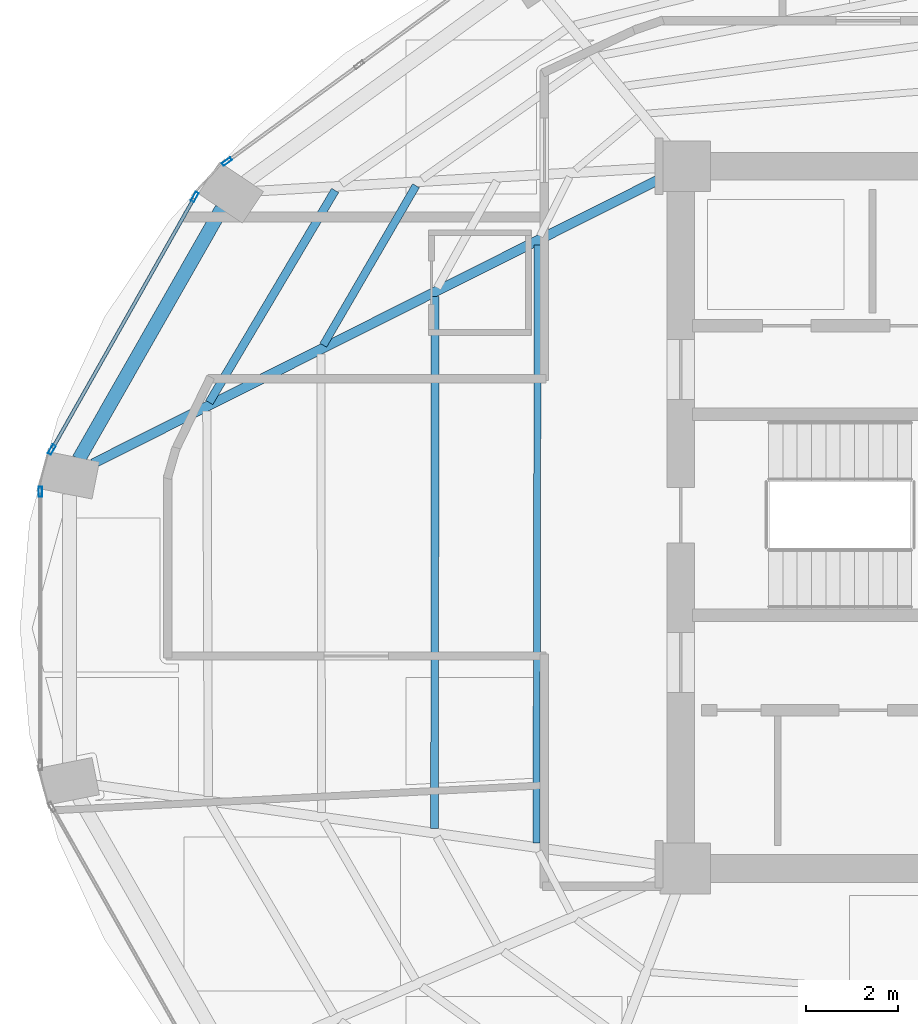
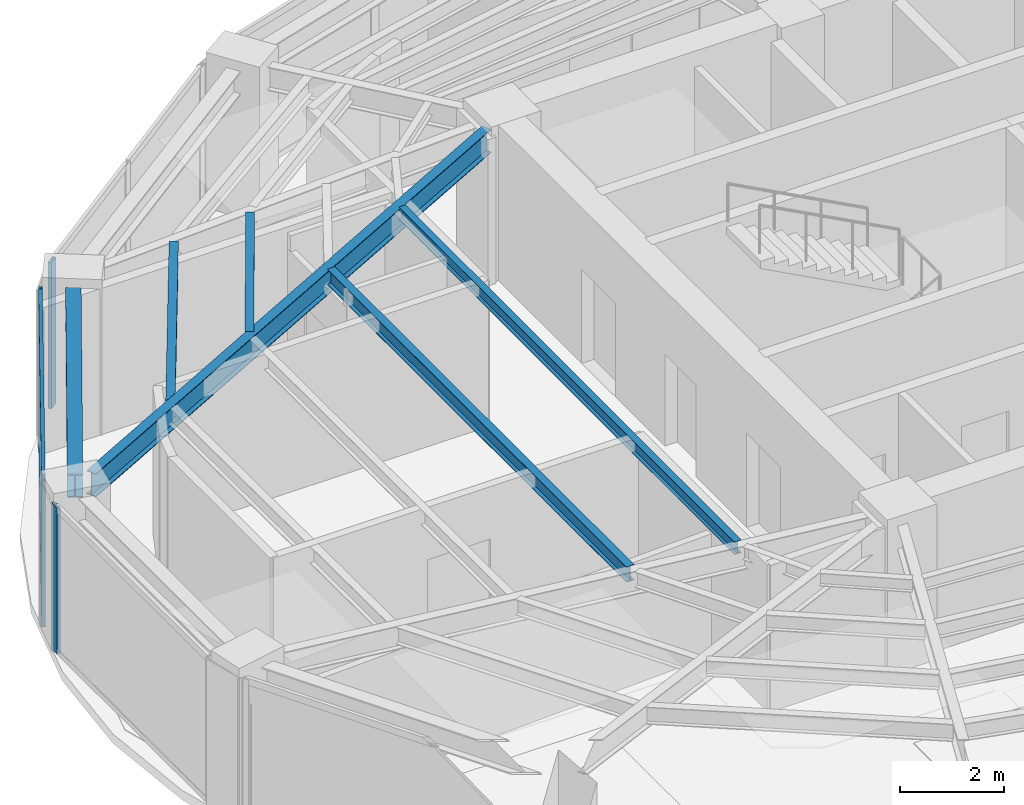
# One storey, part 6 of 20: 6 beams, 6 members, 3 elements without a shape of their own.
"""IFC4 building model written with IfcOpenShell, lengths in metres."""

from ifc_helpers import new_model, si_unit, direction, frame, origin, origin_2d, place, context, subcontext, project, spatial, hollow_rectangle, i_section, extrude, material, layer, layer_set, material_profile, profile_set, type_object, element, aggregate, save


model = new_model("IFC4")

# Units and contexts
model_context = context("Model", 3, precision=1e-05, world=origin(), true_north=direction((0.0, 1.0)))
body_context = subcontext(model_context, "Body", "Model", "MODEL_VIEW")
ifc_project = project(units=[si_unit("LENGTHUNIT", "METRE"), si_unit("AREAUNIT", "SQUARE_METRE"), si_unit("VOLUMEUNIT", "CUBIC_METRE"), si_unit("PLANEANGLEUNIT", "RADIAN"), si_unit("MASSUNIT", "GRAM", prefix="KILO")], contexts=[model_context])

# Site, building, storey
site_placement = place(None, origin())
site = spatial("IfcSite", under=ifc_project, at=site_placement, CompositionType="ELEMENT")
building_placement = place(site_placement, origin())
building = spatial("IfcBuilding", under=site, at=building_placement, Name="Lazwardi Medical Tower", CompositionType="ELEMENT")
storey_placement = place(building_placement, frame((0.0, 0.0, 141.93603515625)))
storey = spatial("IfcBuildingStorey", under=building, at=storey_placement, Name="L36", CompositionType="ELEMENT", Elevation=141.93603515625)

# Beams
ifc_material_1 = material(Name="Steel S355", Category="steel")
ifc_material_profile_1 = material_profile(ifc_material_1, i_section(OverallWidth=0.300048828125, OverallDepth=0.550048828125, WebThickness=0.014892578125, FlangeThickness=0.029052734375, at=origin_2d()), Name="HEB 550")
ifc_profile_set_1 = profile_set([ifc_material_profile_1], Name="Steel S355")
beam_type_1 = type_object("IfcBeamType", Name="BM-RB-Z3", PredefinedType="BEAM", material=ifc_profile_set_1)
beam_1_placement = place(storey_placement, frame((16.3662109375, 34.683349609375, 3.153076171875), z_axis=(-0.495477752551, -0.868620628771, 0.0), x_axis=(0.868620628771, -0.495477752551, 0.0)))
element("IfcBeam", 1, at=beam_1_placement, inside=storey, type_object=beam_type_1, Name="Ring beam RB-04 B11 L36", PredefinedType="BEAM", context=body_context, shape_type="SweptSolid", body=[
    extrude(i_section(OverallWidth=0.300048828125, OverallDepth=0.550048828125, WebThickness=0.014892578125, FlangeThickness=0.029052734375, at=origin_2d()), origin(), (0.0, 0.0, 1.0), 6.244384765625),
])
ifc_material_profile_2 = material_profile(ifc_material_1, i_section(OverallWidth=0.2099609375, OverallDepth=0.550048828125, WebThickness=0.010986328125, FlangeThickness=0.01708984375, at=origin_2d()), Name="IPE 550")
ifc_profile_set_2 = profile_set([ifc_material_profile_2], Name="Steel S355")
beam_type_2 = type_object("IfcBeamType", Name="BM-RG-W2", PredefinedType="BEAM", material=ifc_profile_set_2)
beam_2_placement = place(storey_placement, frame((13.57470703125, 29.162841796875, 3.153076171875), z_axis=(0.893740468624, 0.448584412061, 0.0), x_axis=(-0.448584412061, 0.893740468624, 0.0)))
element("IfcBeam", 2, at=beam_2_placement, inside=storey, type_object=beam_type_2, Name="Radial girder RG-03 R12 L36", PredefinedType="BEAM", context=body_context, shape_type="SweptSolid", body=[
    extrude(i_section(OverallWidth=0.2099609375, OverallDepth=0.550048828125, WebThickness=0.010986328125, FlangeThickness=0.01708984375, at=origin_2d()), origin(), (0.0, 0.0, 1.0), 13.815185546875),
])
ifc_material_profile_3 = material_profile(ifc_material_1, i_section(OverallWidth=0.179931640625, OverallDepth=0.39990234375, WebThickness=0.008544921875, FlangeThickness=0.013427734375, at=origin_2d()), Name="IPE 400")
ifc_profile_set_3 = profile_set([ifc_material_profile_3], Name="Steel S355")
beam_type_3 = type_object("IfcBeamType", Name="BM-SJ-01", PredefinedType="JOIST", material=ifc_profile_set_3)
beam_3_placement = place(storey_placement, frame((18.82080078125, 35.078369140625, 3.22802734375), z_axis=(-0.510569396963, -0.859836548935, 0.0), x_axis=(0.859836548935, -0.510569396963, 0.0)))
element("IfcBeam", 3, at=beam_3_placement, inside=storey, type_object=beam_type_3, Name="Secondary joist SJ-01 R1 B11 L36", PredefinedType="JOIST", context=body_context, shape_type="SweptSolid", body=[
    extrude(i_section(OverallWidth=0.179931640625, OverallDepth=0.39990234375, WebThickness=0.008544921875, FlangeThickness=0.013427734375, at=origin_2d()), origin(), (0.0, 0.0, 1.0), 5.33837890625),
])
ifc_material_profile_4 = material_profile(ifc_material_1, i_section(OverallWidth=0.169921875, OverallDepth=0.360107421875, WebThickness=0.008056640625, FlangeThickness=0.0126953125, at=origin_2d()), Name="IPE 360")
ifc_profile_set_4 = profile_set([ifc_material_profile_4], Name="Steel S355")
beam_type_4 = type_object("IfcBeamType", Name="BM-SJ-02", PredefinedType="JOIST", material=ifc_profile_set_4)
beam_4_placement = place(storey_placement, frame((20.5703125, 35.17919921875, 3.248046875), z_axis=(-0.502665102216, -0.864481228839, 0.0), x_axis=(0.864481228839, -0.502665102216, 0.0)))
element("IfcBeam", 4, at=beam_4_placement, inside=storey, type_object=beam_type_4, Name="Secondary joist SJ-02 R2 B11 L36", PredefinedType="JOIST", context=body_context, shape_type="SweptSolid", body=[
    extrude(i_section(OverallWidth=0.169921875, OverallDepth=0.360107421875, WebThickness=0.008056640625, FlangeThickness=0.0126953125, at=origin_2d()), origin(), (0.0, 0.0, 1.0), 3.991943359375),
])
beam_5_placement = place(storey_placement, frame((20.98291015625, 32.78125, 3.248046875), z_axis=(-0.000805852776, -0.999999675301, 0.0), x_axis=(0.999999675301, -0.000805852776, 0.0)))
element("IfcBeam", 5, at=beam_5_placement, inside=storey, type_object=beam_type_4, Name="Secondary joist SJ-02 R3 B12 L36", PredefinedType="JOIST", context=body_context, shape_type="SweptSolid", body=[
    extrude(i_section(OverallWidth=0.169921875, OverallDepth=0.360107421875, WebThickness=0.008056640625, FlangeThickness=0.0126953125, at=origin_2d()), origin(), (0.0, 0.0, 1.0), 11.512451171875),
])
ifc_material_profile_5 = material_profile(ifc_material_1, i_section(OverallWidth=0.14990234375, OverallDepth=0.300048828125, WebThickness=0.007080078125, FlangeThickness=0.0107421875, at=origin_2d()), Name="IPE 300")
ifc_profile_set_5 = profile_set([ifc_material_profile_5], Name="Steel S355")
beam_type_5 = type_object("IfcBeamType", Name="BM-SJ-03", PredefinedType="JOIST", material=ifc_profile_set_5)
beam_6_placement = place(storey_placement, frame((23.205078125, 33.896484375, 3.278076171875), z_axis=(-0.002150897838, -0.999997686817, 0.0), x_axis=(0.999997686817, -0.002150897838, 0.0)))
element("IfcBeam", 6, at=beam_6_placement, inside=storey, type_object=beam_type_5, Name="Secondary joist SJ-03 R4 B12 L36", PredefinedType="JOIST", context=body_context, shape_type="SweptSolid", body=[
    extrude(i_section(OverallWidth=0.14990234375, OverallDepth=0.300048828125, WebThickness=0.007080078125, FlangeThickness=0.0107421875, at=origin_2d()), origin(), (0.0, 0.0, 1.0), 12.939697265625),
])

# Curtain wall, member
ifc_material_2 = material(Name="Anodised bronze aluminium and solar control glazing", Category="aluminium")
ifc_layer = layer(ifc_material_2, 0.195068359375)
ifc_layer_set = layer_set([ifc_layer], Name="Anodised bronze aluminium and solar control glazing")
curtain_wall_type = type_object("IfcCurtainWallType", Name="CW-SYS-03", PredefinedType="NOTDEFINED", material=ifc_layer_set)
curtain_wall_1_placement = place(storey_placement, origin())
curtain_wall_1 = element("IfcCurtainWall", 7, at=curtain_wall_1_placement, inside=storey, type_object=curtain_wall_type, Name="L36 Unitised bronze curtain wall CW-03", PredefinedType="NOTDEFINED")
ifc_material_3 = material(Name="Anodised bronze aluminium", Category="aluminium")
ifc_material_profile_6 = material_profile(ifc_material_3, hollow_rectangle(XDim=0.074951171875, YDim=0.219970703125, WallThickness=0.00390625, at=origin_2d()), Name="ALU-MULLION 220x75x4")
ifc_profile_set_6 = profile_set([ifc_material_profile_6], Name="Anodised bronze aluminium")
member_type_1 = type_object("IfcMemberType", Name="CW-MUL-01", PredefinedType="MULLION", material=ifc_profile_set_6)
member_1_placement = place(storey_placement, frame((16.480224609375, 35.702880859375, 0.0), z_axis=(0.0, 0.0, 1.0), x_axis=(0.590833862635, -0.806793249082, 0.0)))
member_1 = element("IfcMember", 8, at=member_1_placement, type_object=member_type_1, Name="CW-03 mullion 3", PredefinedType="MULLION", context=body_context, shape_type="SweptSolid", body=[
    extrude(hollow_rectangle(XDim=0.074951171875, YDim=0.219970703125, WallThickness=0.00390625, at=origin_2d()), origin(), (0.0, 0.0, 1.0), 3.427978515625),
])
aggregate(curtain_wall_1, [member_1])

# Curtain wall, members
curtain_wall_2_placement = place(storey_placement, origin())
curtain_wall_2 = element("IfcCurtainWall", 9, at=curtain_wall_2_placement, inside=storey, type_object=curtain_wall_type, Name="L36 Unitised bronze curtain wall CW-03", PredefinedType="NOTDEFINED")
member_2_placement = place(storey_placement, frame((15.782470703125, 34.936767578125, 0.0), z_axis=(0.0, 0.0, 1.0), x_axis=(0.870418989303, -0.492311672683, 0.0)))
member_2 = element("IfcMember", 10, at=member_2_placement, type_object=member_type_1, Name="CW-03 mullion 1", PredefinedType="MULLION", context=body_context, shape_type="SweptSolid", body=[
    extrude(hollow_rectangle(XDim=0.074951171875, YDim=0.219970703125, WallThickness=0.00390625, at=origin_2d()), origin(), (0.0, 0.0, 1.0), 3.427978515625),
])
member_3_placement = place(storey_placement, frame((12.68896484375, 29.46728515625, 0.0), z_axis=(0.0, 0.0, 1.0), x_axis=(0.870418989303, -0.492311672683, 0.0)))
member_3 = element("IfcMember", 11, at=member_3_placement, type_object=member_type_1, Name="CW-03 mullion 2", PredefinedType="MULLION", context=body_context, shape_type="SweptSolid", body=[
    extrude(hollow_rectangle(XDim=0.074951171875, YDim=0.219970703125, WallThickness=0.00390625, at=origin_2d()), origin(), (0.0, 0.0, 1.0), 3.427978515625),
])

# Curtain wall, member
curtain_wall_3_placement = place(storey_placement, origin())
curtain_wall_3 = element("IfcCurtainWall", 12, at=curtain_wall_3_placement, inside=storey, type_object=curtain_wall_type, Name="L36 Unitised bronze curtain wall CW-03", PredefinedType="NOTDEFINED")
member_4_placement = place(storey_placement, frame((12.4423828125, 28.557861328125, 0.0), z_axis=(0.0, 0.0, 1.0), x_axis=(1.0, 0.0, 0.0)))
member_4 = element("IfcMember", 13, at=member_4_placement, type_object=member_type_1, Name="CW-03 mullion 1", PredefinedType="MULLION", context=body_context, shape_type="SweptSolid", body=[
    extrude(hollow_rectangle(XDim=0.074951171875, YDim=0.219970703125, WallThickness=0.00390625, at=origin_2d()), origin(), (0.0, 0.0, 1.0), 3.427978515625),
])
aggregate(curtain_wall_3, [member_4])

# Member
ifc_material_profile_7 = material_profile(ifc_material_3, hollow_rectangle(XDim=0.074951171875, YDim=0.159912109375, WallThickness=0.00390625, at=origin_2d()), Name="ALU-TRANSOM 160x75x4")
ifc_profile_set_7 = profile_set([ifc_material_profile_7], Name="Anodised bronze aluminium")
member_type_2 = type_object("IfcMemberType", Name="CW-TRN-01", PredefinedType="USERDEFINED", material=ifc_profile_set_7)
member_5_placement = place(storey_placement, frame((15.763916015625, 34.904052734375, 0.037353515625), z_axis=(-0.492322860598, -0.870412661289, 0.0), x_axis=(0.870412661289, -0.492322860598, 0.0)))
member_5 = element("IfcMember", 14, at=member_5_placement, type_object=member_type_2, Name="CW-03 transom 1.1", ObjectType="TRANSOM", PredefinedType="USERDEFINED", context=body_context, shape_type="SweptSolid", body=[
    extrude(hollow_rectangle(XDim=0.074951171875, YDim=0.159912109375, WallThickness=0.00390625, at=origin_2d()), origin(), (0.0, 0.0, 1.0), 6.20849609375),
])

member_6_placement = place(storey_placement, frame((15.763916015625, 34.904052734375, 3.390380859375), z_axis=(-0.492322860598, -0.870412661289, 0.0), x_axis=(0.870412661289, -0.492322860598, 0.0)))
member_6 = element("IfcMember", 15, at=member_6_placement, type_object=member_type_2, Name="CW-03 transom 1.2", ObjectType="TRANSOM", PredefinedType="USERDEFINED", context=body_context, shape_type="SweptSolid", body=[
    extrude(hollow_rectangle(XDim=0.074951171875, YDim=0.159912109375, WallThickness=0.00390625, at=origin_2d()), origin(), (0.0, 0.0, 1.0), 6.20849609375),
])

aggregate(curtain_wall_2, [member_2, member_3, member_5, member_6])

save(model, "model.ifc")
